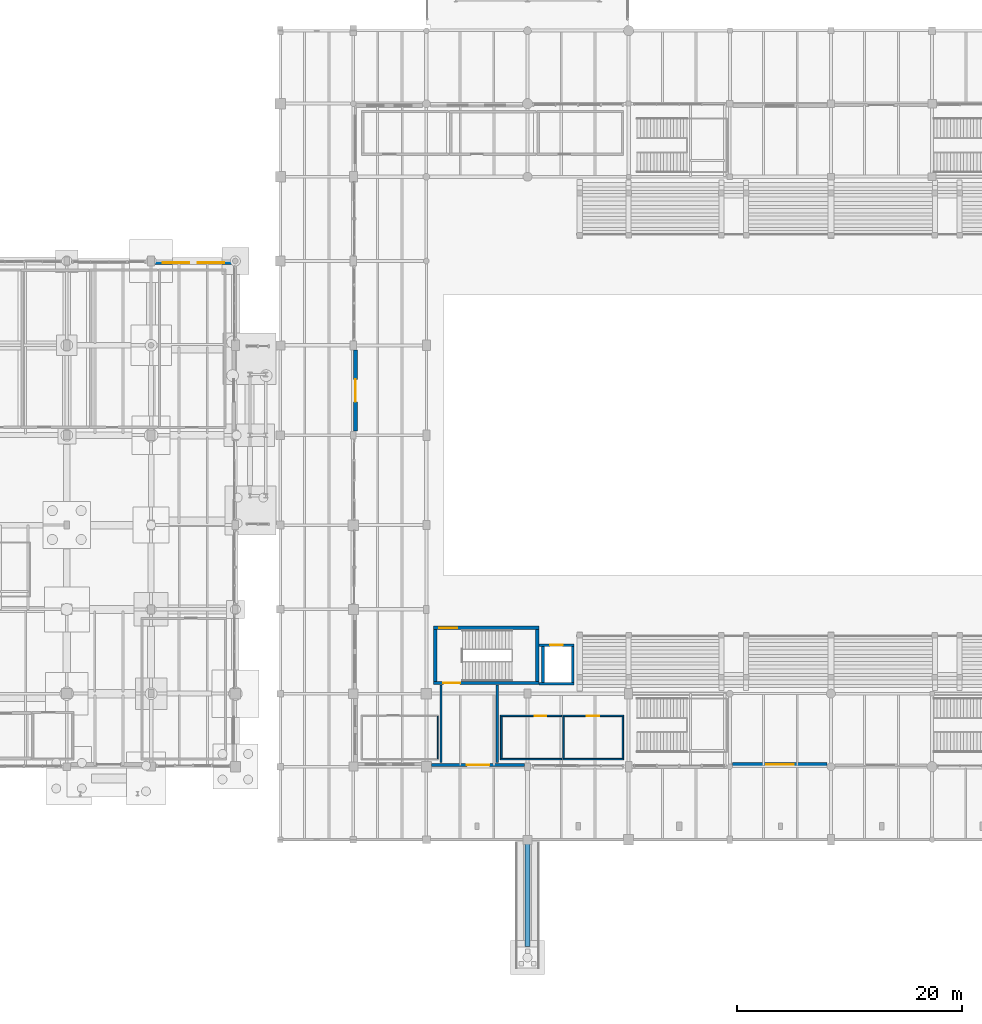
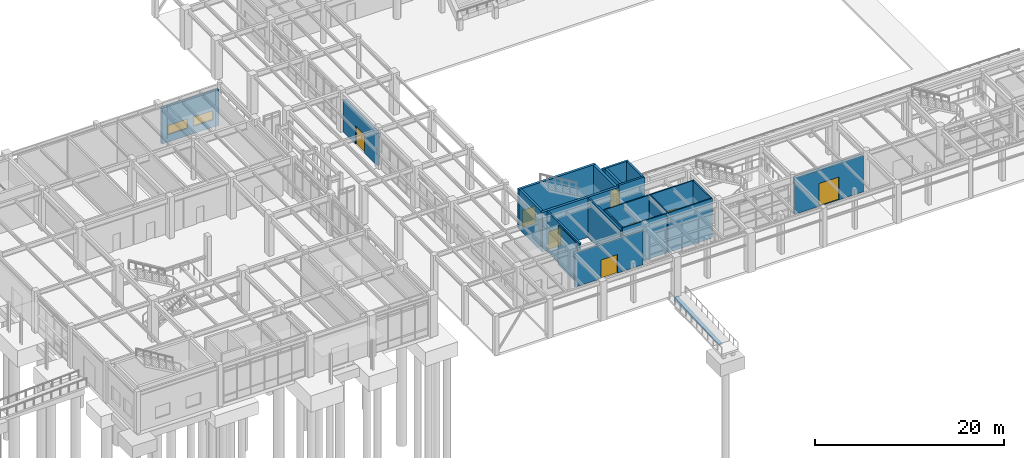
# One storey, part 173 of 203: 23 walls, 8 doors, 2 windows, 10 openings.
"""IFC4 building model written with IfcOpenShell, lengths in metres."""

import ifcopenshell
import ifcopenshell.guid

model = None  # the IFC model being written
_history = None  # IfcOwnerHistory: only IFC2X3 demands one
_inside = {}  # id of a spatial element -> (the spatial element, [elements in it])
_under = {}  # id of a project, library or spatial element -> (it, [spatial elements below it])
_declared = {}  # id of a project -> (the project, [libraries it declares])
_typed = {}  # id of a type object -> (the type object, [elements of that type])
_made_of = {}  # id of a material, layer set ... -> (it, [elements and type objects made of it])


def new_model(schema):
    """Start an empty IFC model of exactly this schema.

    Asked for "IFC4X3", IfcOpenShell would pick the latest addendum, in which some entities
    have other attributes; the version numbers below select the first issue.
    IFC2X3 requires an IfcOwnerHistory on every rooted entity: one is made here for all.
    """
    global model, _history
    if schema == "IFC4X3":
        model = ifcopenshell.file(schema_version=(4, 3, 0, 0))
    else:
        model = ifcopenshell.file(schema=schema)
    _inside.clear()
    _under.clear()
    _declared.clear()
    _typed.clear()
    _made_of.clear()
    _history = None
    if model.schema == "IFC2X3":
        org = make("IfcOrganization", Name="unknown")
        user = make(
            "IfcPersonAndOrganization",
            ThePerson=make("IfcPerson", FamilyName="unknown"),
            TheOrganization=org,
        )
        app = make(
            "IfcApplication",
            ApplicationDeveloper=org,
            Version="unknown",
            ApplicationFullName="unknown",
            ApplicationIdentifier="unknown",
        )
        _history = make(
            "IfcOwnerHistory",
            OwningUser=user,
            OwningApplication=app,
            ChangeAction="ADDED",
            CreationDate=0,
        )
    return model


def make(cls, **values):
    """One entity of the class cls with the attributes given. An attribute that is None is left unset."""
    return model.create_entity(
        cls, **{name: value for name, value in values.items() if value is not None}
    )


def rooted(cls, **values):
    """An entity with a GlobalId (a new one), such as an element, a storey or a relation."""
    return make(cls, GlobalId=ifcopenshell.guid.new(), OwnerHistory=_history, **values)


def si_unit(unit_type, name, prefix=None):
    """IfcSIUnit, for example si_unit("LENGTHUNIT", "METRE", prefix="MILLI")."""
    return make("IfcSIUnit", UnitType=unit_type, Prefix=prefix, Name=name)


def assignment(units):
    """IfcUnitAssignment: the units of a project."""
    return None if units is None else make("IfcUnitAssignment", Units=units)


def point(xyz):
    """IfcCartesianPoint."""
    return None if xyz is None else make("IfcCartesianPoint", Coordinates=xyz)


def direction(xyz):
    """IfcDirection."""
    return None if xyz is None else make("IfcDirection", DirectionRatios=xyz)


def frame(location, z_axis=None, x_axis=None):
    """IfcAxis2Placement3D, a coordinate frame: its origin and axes. An axis left out is left unset."""
    return make(
        "IfcAxis2Placement3D",
        Location=point(location),
        Axis=direction(z_axis),
        RefDirection=direction(x_axis),
    )


def frame_2d(location, x_axis=None):
    """IfcAxis2Placement2D, a coordinate frame in the plane: its origin and x axis."""
    return make(
        "IfcAxis2Placement2D", Location=point(location), RefDirection=direction(x_axis)
    )


def origin():
    """The frame at (0, 0, 0) with its axes left unset."""
    return frame((0.0, 0.0, 0.0))


def place(relative_to, where):
    """IfcLocalPlacement: puts the frame where relative to a parent placement (None: the world)."""
    return make(
        "IfcLocalPlacement", PlacementRelTo=relative_to, RelativePlacement=where
    )


def context(
    kind, dimensions, precision=None, world=None, true_north=None, identifier=None
):
    """IfcGeometricRepresentationContext, for example the 3D "Model" context."""
    return make(
        "IfcGeometricRepresentationContext",
        ContextIdentifier=identifier,
        ContextType=kind,
        CoordinateSpaceDimension=dimensions,
        Precision=precision,
        WorldCoordinateSystem=world,
        TrueNorth=true_north,
    )


def subcontext(parent, identifier, kind, view, scale=None):
    """IfcGeometricRepresentationSubContext, for example "Body" below "Model"."""
    return make(
        "IfcGeometricRepresentationSubContext",
        ContextIdentifier=identifier,
        ContextType=kind,
        ParentContext=parent,
        TargetScale=scale,
        TargetView=view,
    )


def project(units=None, contexts=None):
    """IfcProject with its units and contexts."""
    return rooted(
        "IfcProject",
        Name="project",
        RepresentationContexts=contexts,
        UnitsInContext=assignment(units),
    )


def spatial(cls, under=None, at=None, **own):
    """A site, building, storey or space (cls), placed at a placement, below another one or the project."""
    s = rooted(cls, ObjectPlacement=at, **own)
    if under is not None:
        _under.setdefault(under.id(), (under, []))[1].append(s)
    return s


def polyline(points):
    """IfcPolyline through the points."""
    return make("IfcPolyline", Points=[point(p) for p in points])


def profile(cls, at=None, kind="AREA", **sizes):
    """A parametric profile (cls). Its sizes go by their IFC names, for example OverallWidth=200.0."""
    return make(cls, ProfileType=kind, Position=at, **sizes)


def rectangle(**sizes):
    """IfcRectangleProfileDef."""
    return profile("IfcRectangleProfileDef", **sizes)


def outline(outer, holes=None, kind="AREA"):
    """IfcArbitraryClosedProfileDef: a profile drawn as a closed curve; with holes, ...WithVoids."""
    if holes is None:
        return make("IfcArbitraryClosedProfileDef", ProfileType=kind, OuterCurve=outer)
    return make(
        "IfcArbitraryProfileDefWithVoids",
        ProfileType=kind,
        OuterCurve=outer,
        InnerCurves=holes,
    )


def extrude(swept, where, along, depth):
    """IfcExtrudedAreaSolid: the profile swept, set in the frame where, extruded along a direction by depth."""
    return make(
        "IfcExtrudedAreaSolid",
        SweptArea=swept,
        Position=where,
        ExtrudedDirection=direction(along),
        Depth=depth,
    )


def shape(context_of_items, identifier, shape_type, items):
    """IfcShapeRepresentation: the items that make up one representation, for example the "Body"."""
    return make(
        "IfcShapeRepresentation",
        ContextOfItems=context_of_items,
        RepresentationIdentifier=identifier,
        RepresentationType=shape_type,
        Items=items,
    )


def material(Name=None, Category=None):
    """IfcMaterial."""
    return make("IfcMaterial", Name=Name, Category=Category)


def layer(
    of_material, thickness, ventilated=None, Name=None, Category=None, Priority=None
):
    """IfcMaterialLayer: one layer of a wall or slab, of a material (None: an air gap)."""
    return make(
        "IfcMaterialLayer",
        Material=of_material,
        LayerThickness=thickness,
        IsVentilated=ventilated,
        Name=Name,
        Category=Category,
        Priority=Priority,
    )


def layer_set(layers, Name=None):
    """IfcMaterialLayerSet."""
    return make("IfcMaterialLayerSet", MaterialLayers=layers, LayerSetName=Name)


def made_of(thing, what):
    """Note that an element or type object is made of a material, layer set ...; save() writes the relation."""
    if what is not None:
        _made_of.setdefault(what.id(), (what, []))[1].append(thing)
    return thing


def type_object(cls, material=None, **own):
    """A type object (cls), such as IfcWallType, which elements share."""
    return made_of(rooted(cls, **own), material)


def element(
    cls,
    number,
    at=None,
    inside=None,
    cuts=None,
    type_object=None,
    material=None,
    context=None,
    identifier="Body",
    shape_type=None,
    held_by="IfcProductDefinitionShape",
    body=None,
    shapes=None,
    **own,
):
    """One element of the class cls, such as IfcWall. Its Tag is "e" and its number.

    at: its placement. inside: the storey or other place that contains it. cuts: it is an
    opening in that element (IfcRelVoidsElement). A single representation is given by context,
    identifier, shape_type and body (its items); several are given by shapes. held_by: the class
    of the entity that holds the representations. save() writes the other relations.
    """
    e = rooted(cls, Tag="e%d" % number, ObjectPlacement=at, **own)
    if body is not None:
        shapes = [shape(context, identifier, shape_type, body)]
    if shapes is not None:
        e.Representation = make(held_by, Representations=shapes)
    if inside is not None:
        _inside.setdefault(inside.id(), (inside, []))[1].append(e)
    if cuts is not None:
        rooted(
            "IfcRelVoidsElement", RelatingBuildingElement=cuts, RelatedOpeningElement=e
        )
    if type_object is not None:
        _typed.setdefault(type_object.id(), (type_object, []))[1].append(e)
    return made_of(e, material)


def fill(opening, filler):
    """IfcRelFillsElement: the door or window that sits in an opening."""
    return rooted(
        "IfcRelFillsElement",
        RelatingOpeningElement=opening,
        RelatedBuildingElement=filler,
    )


def aggregate(whole, parts):
    """IfcRelAggregates: a whole, such as a stair, and the parts it consists of."""
    return rooted("IfcRelAggregates", RelatingObject=whole, RelatedObjects=parts)


def save(model, path):
    """Write the relations noted so far, then the file.

    IfcRelAggregates (storeys below a building ...), IfcRelContainedInSpatialStructure (elements
    in a storey), IfcRelDefinesByType, IfcRelAssociatesMaterial and IfcRelDeclares: one each for
    every whole, place, type object, material and project.
    """
    for whole, parts in _under.values():
        aggregate(whole, parts)
    for where, things in _inside.values():
        rooted(
            "IfcRelContainedInSpatialStructure",
            RelatedElements=things,
            RelatingStructure=where,
        )
    for kind, things in _typed.values():
        rooted("IfcRelDefinesByType", RelatedObjects=things, RelatingType=kind)
    for what, things in _made_of.values():
        rooted("IfcRelAssociatesMaterial", RelatedObjects=things, RelatingMaterial=what)
    for by, libraries in _declared.values():
        rooted("IfcRelDeclares", RelatingContext=by, RelatedDefinitions=libraries)
    model.write(path)


model = new_model("IFC4")

# Units and contexts
model_context = context("Model", 3, precision=1e-05, world=origin(), true_north=direction((0.0, 1.0)))
body_context = subcontext(model_context, "Body", "Model", "MODEL_VIEW")
ifc_project = project(units=[si_unit("LENGTHUNIT", "METRE"), si_unit("AREAUNIT", "SQUARE_METRE"), si_unit("VOLUMEUNIT", "CUBIC_METRE"), si_unit("PLANEANGLEUNIT", "RADIAN"), si_unit("MASSUNIT", "GRAM", prefix="KILO"), si_unit("THERMODYNAMICTEMPERATUREUNIT", "KELVIN"), si_unit("POWERUNIT", "WATT")], contexts=[model_context])

# Site, building, storey
site_placement = place(None, origin())
site = spatial("IfcSite", under=ifc_project, at=site_placement, CompositionType="ELEMENT")
building_placement = place(site_placement, origin())
building = spatial("IfcBuilding", under=site, at=building_placement, Name="Tepalcoro Natatorium and Aquatics Centre", CompositionType="ELEMENT")
storey_placement = place(building_placement, origin())
storey = spatial("IfcBuildingStorey", under=building, at=storey_placement, Name="L00", CompositionType="ELEMENT", Elevation=0.0)

# Wall, opening, door
ifc_material_1 = material(Name="Precast Concrete C45/55 (fc 45 MPa)", Category="concrete")
ifc_layer_1 = layer(ifc_material_1, 0.284912109375)
ifc_layer_set_1 = layer_set([ifc_layer_1], Name="Precast Concrete C45/55 (fc 45 MPa)")
wall_type_1 = type_object("IfcWallType", Name="WL_EXT_INSUL_280", PredefinedType="SOLIDWALL", material=ifc_layer_set_1)
wall_1_placement = place(storey_placement, frame((53.4541015625, 6.642578125, 0.0), z_axis=(0.0, 0.0, 1.0), x_axis=(1.0, 0.0, 0.0)))
wall_1 = element("IfcWall", 1, at=wall_1_placement, inside=storey, type_object=wall_type_1, Name="V1 L00 S Volcanic Basalt Envelope Wall", PredefinedType="SOLIDWALL", context=body_context, shape_type="SweptSolid", body=[
    extrude(rectangle(XDim=8.2919921875, YDim=0.284912109375, at=frame_2d((4.14599609375, 0.0))), origin(), (0.0, 0.0, 1.0), 4.382080078125),
])
opening_1_placement = place(wall_1_placement, frame((3.14599609375, 0.0, 0.0)))
opening_1 = element("IfcOpeningElement", 2, at=opening_1_placement, cuts=wall_1, Name="Opening ED5001", PredefinedType="OPENING", context=body_context, shape_type="SweptSolid", body=[
    extrude(rectangle(XDim=2.0, YDim=2.39990234375, at=frame_2d((1.0, 1.199951171875))), frame((0.0, 0.154296875, 0.0), z_axis=(0.0, -1.0, 0.0), x_axis=(1.0, 0.0, 0.0)), (0.0, 0.0, 1.0), 0.308837890625),
])
ifc_material_2 = material(Name="Bronze-Anodised Extruded Aluminium Alloy EN AW-6063 T6", Category="aluminium")
door_type_1 = type_object("IfcDoorType", Name="DR_200x240_EXT", OperationType="NOTDEFINED", PredefinedType="DOOR", material=ifc_material_2)
door_1_placement = place(opening_1_placement, frame((2.0, 0.0, 0.0), z_axis=(0.0, 0.0, 1.0), x_axis=(-1.0, 0.0, 0.0)))
door_1 = element("IfcDoor", 3, at=door_1_placement, inside=storey, type_object=door_type_1, Name="West Stair ST01 Final Exit Discharge", OperationType="DOUBLE_DOOR_SINGLE_SWING", OverallHeight=2.39990234375, OverallWidth=2.0, PredefinedType="DOOR", context=body_context, shape_type="SweptSolid", body=[
    extrude(rectangle(XDim=2.0, YDim=2.39990234375, at=frame_2d((1.0, 1.199951171875))), frame((0.0, 0.02490234375, 0.0), z_axis=(0.0, -1.0, 0.0), x_axis=(1.0, 0.0, 0.0)), (0.0, 0.0, 1.0), 0.050048828125),
])
fill(opening_1, door_1)

# Wall, openings, windows
ifc_material_3 = material(Name="Jalisco Cantera Rosa Volcanic Tuff Ashlar Masonry", Category="masonry")
ifc_layer_2 = layer(ifc_material_3, 0.320068359375)
ifc_layer_set_2 = layer_set([ifc_layer_2], Name="Jalisco Cantera Rosa Volcanic Tuff Ashlar Masonry")
wall_type_2 = type_object("IfcWallType", Name="WL_EXT_STONE_320", PredefinedType="SOLIDWALL", material=ifc_layer_set_2)
wall_2_placement = place(storey_placement, frame((28.803955078125, 51.340087890625, 0.0), z_axis=(0.0, 0.0, 1.0), x_axis=(1.0, 0.0, 0.0)))
wall_2 = element("IfcWall", 4, at=wall_2_placement, inside=storey, type_object=wall_type_2, Name="V3 L00 N Volcanic Basalt Envelope Wall", PredefinedType="SOLIDWALL", context=body_context, shape_type="SweptSolid", body=[
    extrude(rectangle(XDim=6.942138671875, YDim=0.320068359375, at=frame_2d((3.47119140625, 0.0))), origin(), (0.0, 0.0, 1.0), 4.593994140625),
])
opening_2_placement = place(wall_2_placement, frame((0.714111328125, 0.0, 0.949951171875)))
opening_2 = element("IfcOpeningElement", 5, at=opening_2_placement, cuts=wall_2, Name="Opening W0056A", PredefinedType="OPENING", context=body_context, shape_type="SweptSolid", body=[
    extrude(rectangle(XDim=2.39990234375, YDim=1.199951171875, at=frame_2d((1.199951171875, 0.60009765625))), frame((0.0, 0.171875, 0.0), z_axis=(0.0, -1.0, 0.0), x_axis=(1.0, 0.0, 0.0)), (0.0, 0.0, 1.0), 0.343994140625),
])
opening_3_placement = place(wall_2_placement, frame((3.827880859375, 0.0, 0.949951171875)))
opening_3 = element("IfcOpeningElement", 6, at=opening_3_placement, cuts=wall_2, Name="Opening W0056B", PredefinedType="OPENING", context=body_context, shape_type="SweptSolid", body=[
    extrude(rectangle(XDim=2.39990234375, YDim=1.199951171875, at=frame_2d((1.199951171875, 0.60009765625))), frame((0.0, 0.171875, 0.0), z_axis=(0.0, -1.0, 0.0), x_axis=(1.0, 0.0, 0.0)), (0.0, 0.0, 1.0), 0.343994140625),
])
ifc_material_4 = material(Name="Solar-Control Bronze Tempered Low-E Double Glazing", Category="glass")
window_type = type_object("IfcWindowType", Name="WN_240x120", PartitioningType="SINGLE_PANEL", PredefinedType="WINDOW", material=ifc_material_4)
window_1_placement = place(opening_2_placement, origin())
window_1 = element("IfcWindow", 7, at=window_1_placement, inside=storey, type_object=window_type, Name="Exterior Thermal Window WN_240x120", OverallHeight=1.199951171875, OverallWidth=2.39990234375, PartitioningType="SINGLE_PANEL", PredefinedType="WINDOW", context=body_context, shape_type="SweptSolid", body=[
    extrude(rectangle(XDim=2.39990234375, YDim=1.199951171875, at=frame_2d((1.199951171875, 0.60009765625))), frame((0.0, 0.030029296875, 0.0), z_axis=(0.0, -1.0, 0.0), x_axis=(1.0, 0.0, 0.0)), (0.0, 0.0, 1.0), 0.06005859375),
])
fill(opening_2, window_1)
window_2_placement = place(opening_3_placement, origin())
window_2 = element("IfcWindow", 8, at=window_2_placement, inside=storey, type_object=window_type, Name="Exterior Thermal Window WN_240x120", OverallHeight=1.199951171875, OverallWidth=2.39990234375, PartitioningType="SINGLE_PANEL", PredefinedType="WINDOW", context=body_context, shape_type="SweptSolid", body=[
    extrude(rectangle(XDim=2.39990234375, YDim=1.199951171875, at=frame_2d((1.199951171875, 0.60009765625))), frame((0.0, 0.030029296875, 0.0), z_axis=(0.0, -1.0, 0.0), x_axis=(1.0, 0.0, 0.0)), (0.0, 0.0, 1.0), 0.06005859375),
])
fill(opening_3, window_2)

# Wall, opening, door
ifc_material_5 = material(Name="Volcanic Recinto Basalt Ashlar Masonry", Category="masonry")
ifc_layer_3 = layer(ifc_material_5, 0.360107421875)
ifc_layer_set_3 = layer_set([ifc_layer_3], Name="Volcanic Recinto Basalt Ashlar Masonry")
wall_type_3 = type_object("IfcWallType", Name="WL_EXT_STONE_350", PredefinedType="SOLIDWALL", material=ifc_layer_set_3)
wall_3_placement = place(storey_placement, frame((80.25390625, 6.679931640625, 0.0), z_axis=(0.0, 0.0, 1.0), x_axis=(1.0, 0.0, 0.0)))
wall_3 = element("IfcWall", 9, at=wall_3_placement, inside=storey, type_object=wall_type_3, Name="V1 L00 S Volcanic Basalt Envelope Wall", PredefinedType="SOLIDWALL", context=body_context, shape_type="SweptSolid", body=[
    extrude(rectangle(XDim=8.39208984375, YDim=0.360107421875, at=frame_2d((4.196044921875, 0.0))), origin(), (0.0, 0.0, 1.0), 4.6640625),
])
opening_4_placement = place(wall_3_placement, frame((2.970947265625, 0.0, 0.0)))
opening_4 = element("IfcOpeningElement", 10, at=opening_4_placement, cuts=wall_3, Name="Opening ED5002", PredefinedType="OPENING", context=body_context, shape_type="SweptSolid", body=[
    extrude(rectangle(XDim=2.449951171875, YDim=2.949951171875, at=frame_2d((1.22509765625, 1.47509765625))), frame((0.0, 0.19189453125, 0.0), z_axis=(0.0, -1.0, 0.0), x_axis=(1.0, 0.0, 0.0)), (0.0, 0.0, 1.0), 0.384033203125),
])
door_type_2 = type_object("IfcDoorType", Name="DR_245x300_FOYER", OperationType="NOTDEFINED", PredefinedType="DOOR", material=ifc_material_2)
door_2_placement = place(opening_4_placement, frame((2.449951171875, 0.0, 0.0), z_axis=(0.0, 0.0, 1.0), x_axis=(-1.0, 0.0, 0.0)))
door_2 = element("IfcDoor", 11, at=door_2_placement, inside=storey, type_object=door_type_2, Name="South Colonnade Civic Entrance", OperationType="DOUBLE_DOOR_SINGLE_SWING", OverallHeight=2.949951171875, OverallWidth=2.449951171875, PredefinedType="DOOR", context=body_context, shape_type="SweptSolid", body=[
    extrude(rectangle(XDim=2.449951171875, YDim=2.949951171875, at=frame_2d((1.22509765625, 1.47509765625))), frame((0.0, 0.02490234375, 0.0), z_axis=(0.0, -1.0, 0.0), x_axis=(1.0, 0.0, 0.0)), (0.0, 0.0, 1.0), 0.050048828125),
])
fill(opening_4, door_2)

wall_4_placement = place(storey_placement, frame((46.679931640625, 36.35400390625, 0.0), z_axis=(0.0, 0.0, 1.0), x_axis=(0.0, 1.0, 0.0)))
wall_4 = element("IfcWall", 12, at=wall_4_placement, inside=storey, type_object=wall_type_3, Name="V1 L00 W Volcanic Basalt Envelope Wall", PredefinedType="SOLIDWALL", context=body_context, shape_type="SweptSolid", body=[
    extrude(rectangle(XDim=7.241943359375, YDim=0.360107421875, at=frame_2d((3.62109375, 0.0))), origin(), (0.0, 0.0, 1.0), 4.137939453125),
])
opening_5_placement = place(wall_4_placement, frame((2.62109375, 0.0, 0.0)))
opening_5 = element("IfcOpeningElement", 13, at=opening_5_placement, cuts=wall_4, Name="Opening ED5007", PredefinedType="OPENING", context=body_context, shape_type="SweptSolid", body=[
    extrude(rectangle(XDim=2.0, YDim=2.39990234375, at=frame_2d((1.0, 1.199951171875))), frame((0.0, 0.19189453125, 0.0), z_axis=(0.0, -1.0, 0.0), x_axis=(1.0, 0.0, 0.0)), (0.0, 0.0, 1.0), 0.384033203125),
])
door_3_placement = place(opening_5_placement, origin())
door_3 = element("IfcDoor", 14, at=door_3_placement, inside=storey, type_object=door_type_1, Name="West Seismic Link Portal", OperationType="DOUBLE_DOOR_SINGLE_SWING", OverallHeight=2.39990234375, OverallWidth=2.0, PredefinedType="DOOR", context=body_context, shape_type="SweptSolid", body=[
    extrude(rectangle(XDim=2.0, YDim=2.39990234375, at=frame_2d((1.0, 1.199951171875))), frame((0.0, 0.02490234375, 0.0), z_axis=(0.0, -1.0, 0.0), x_axis=(1.0, 0.0, 0.0)), (0.0, 0.0, 1.0), 0.050048828125),
])
fill(opening_5, door_3)

# Walls
ifc_material_6 = material(Name="Moisture-Resistant Acoustic Gypsum Drywall on Cold-Formed Metal Studs")
ifc_layer_4 = layer(ifc_material_6, 0.10009765625)
ifc_layer_set_4 = layer_set([ifc_layer_4], Name="Moisture-Resistant Acoustic Gypsum Drywall on Cold-Formed Metal Studs")
wall_type_4 = type_object("IfcWallType", Name="WL_PART_100", PredefinedType="PARTITIONING", material=ifc_layer_set_4)
wall_5_placement = place(storey_placement, frame((54.0, 7.199951171875, 0.0), z_axis=(0.0, 0.0, 1.0), x_axis=(0.0, 1.0, 0.0)))
element("IfcWall", 15, at=wall_5_placement, inside=storey, type_object=wall_type_4, Name="World Aquatics Swimmer Call Room & Ready Suite Partition E", PredefinedType="PARTITIONING", context=body_context, shape_type="SweptSolid", body=[
    extrude(rectangle(XDim=3.800048828125, YDim=0.10009765625, at=frame_2d((1.89990234375, 0.0))), origin(), (0.0, 0.0, 1.0), 5.125),
])
ifc_layer_5 = layer(ifc_material_6, 0.14990234375)
ifc_layer_set_5 = layer_set([ifc_layer_5], Name="Moisture-Resistant Acoustic Gypsum Drywall on Cold-Formed Metal Studs")
wall_type_5 = type_object("IfcWallType", Name="WL_PART_150_AC", PredefinedType="PARTITIONING", material=ifc_layer_set_5)
wall_6_placement = place(storey_placement, frame((59.590087890625, 7.175048828125, 0.0), z_axis=(0.0, 0.0, 1.0), x_axis=(1.0, 0.0, 0.0)))
element("IfcWall", 16, at=wall_6_placement, inside=storey, type_object=wall_type_5, Name="Poolside Lifeguard Station & First-Aid Trauma Room Partition S", PredefinedType="PARTITIONING", context=body_context, shape_type="SweptSolid", body=[
    extrude(rectangle(XDim=5.44482421875, YDim=0.14990234375, at=frame_2d((2.722412109375, 0.0))), origin(), (0.0, 0.0, 1.0), 5.125),
])

# Wall, opening, door
wall_7_placement = place(storey_placement, frame((59.590087890625, 11.02490234375, 0.0), z_axis=(0.0, 0.0, 1.0), x_axis=(1.0, 0.0, 0.0)))
wall_7 = element("IfcWall", 17, at=wall_7_placement, inside=storey, type_object=wall_type_5, Name="Poolside Lifeguard Station & First-Aid Trauma Room Partition N", PredefinedType="PARTITIONING", context=body_context, shape_type="SweptSolid", body=[
    extrude(rectangle(XDim=5.44482421875, YDim=0.14990234375, at=frame_2d((2.722412109375, 0.0))), origin(), (0.0, 0.0, 1.0), 5.125),
])
opening_6_placement = place(wall_7_placement, frame((3.05859375, 0.0, 0.0)))
opening_6 = element("IfcOpeningElement", 18, at=opening_6_placement, cuts=wall_7, Name="Opening D0074", PredefinedType="OPENING", context=body_context, shape_type="SweptSolid", body=[
    extrude(rectangle(XDim=1.0, YDim=2.199951171875, at=frame_2d((0.5, 1.10009765625))), frame((0.0, 0.0869140625, 0.0), z_axis=(0.0, -1.0, 0.0), x_axis=(1.0, 0.0, 0.0)), (0.0, 0.0, 1.0), 0.173828125),
])
ifc_material_7 = material(Name="Galvanised Steel Insulated Acoustic Fire Door Assembly", Category="steel")
door_type_3 = type_object("IfcDoorType", Name="DR_100x220_FD60", OperationType="NOTDEFINED", PredefinedType="DOOR", material=ifc_material_7)
door_4_placement = place(opening_6_placement, frame((1.0, 0.0, 0.0), z_axis=(0.0, 0.0, 1.0), x_axis=(-1.0, 0.0, 0.0)))
door_4 = element("IfcDoor", 19, at=door_4_placement, inside=storey, type_object=door_type_3, Name="Poolside Lifeguard Station & First-Aid Trauma Room Door", OperationType="SINGLE_SWING_RIGHT", OverallHeight=2.199951171875, OverallWidth=1.0, PredefinedType="DOOR", context=body_context, shape_type="SweptSolid", body=[
    extrude(rectangle(XDim=1.0, YDim=2.199951171875, at=frame_2d((0.5, 1.10009765625))), frame((0.0, 0.02490234375, 0.0), z_axis=(0.0, -1.0, 0.0), x_axis=(1.0, 0.0, 0.0)), (0.0, 0.0, 1.0), 0.050048828125),
])
fill(opening_6, door_4)

# Walls
wall_8_placement = place(storey_placement, frame((59.6650390625, 7.25, 0.0), z_axis=(0.0, 0.0, 1.0), x_axis=(0.0, 1.0, 0.0)))
element("IfcWall", 20, at=wall_8_placement, inside=storey, type_object=wall_type_5, Name="Poolside Lifeguard Station & First-Aid Trauma Room Partition W", PredefinedType="PARTITIONING", context=body_context, shape_type="SweptSolid", body=[
    extrude(rectangle(XDim=3.699951171875, YDim=0.14990234375, at=frame_2d((1.85009765625, 0.0))), origin(), (0.0, 0.0, 1.0), 5.125),
])
wall_9_placement = place(storey_placement, frame((65.114990234375, 7.175048828125, 0.0), z_axis=(0.0, 0.0, 1.0), x_axis=(1.0, 0.0, 0.0)))
element("IfcWall", 21, at=wall_9_placement, inside=storey, type_object=wall_type_5, Name="Timing & Omega Touchpad Control Room Partition S", PredefinedType="PARTITIONING", context=body_context, shape_type="SweptSolid", body=[
    extrude(rectangle(XDim=5.445068359375, YDim=0.14990234375, at=frame_2d((2.72265625, 0.0))), origin(), (0.0, 0.0, 1.0), 5.125),
])

# Wall, opening, door
wall_10_placement = place(storey_placement, frame((65.114990234375, 11.02490234375, 0.0), z_axis=(0.0, 0.0, 1.0), x_axis=(1.0, 0.0, 0.0)))
wall_10 = element("IfcWall", 22, at=wall_10_placement, inside=storey, type_object=wall_type_5, Name="Timing & Omega Touchpad Control Room Partition N", PredefinedType="PARTITIONING", context=body_context, shape_type="SweptSolid", body=[
    extrude(rectangle(XDim=5.445068359375, YDim=0.14990234375, at=frame_2d((2.72265625, 0.0))), origin(), (0.0, 0.0, 1.0), 5.125),
])
opening_7_placement = place(wall_10_placement, frame((2.172607421875, 0.0, 0.0)))
opening_7 = element("IfcOpeningElement", 23, at=opening_7_placement, cuts=wall_10, Name="Opening D0075", PredefinedType="OPENING", context=body_context, shape_type="SweptSolid", body=[
    extrude(rectangle(XDim=1.10009765625, YDim=2.25, at=frame_2d((0.550048828125, 1.125))), frame((0.0, 0.0869140625, 0.0), z_axis=(0.0, -1.0, 0.0), x_axis=(1.0, 0.0, 0.0)), (0.0, 0.0, 1.0), 0.173828125),
])
ifc_material_8 = material(Name="Solid-Core Moisture-Sealed Oak Timber Leaf in Aluminium Frame", Category="wood")
door_type_4 = type_object("IfcDoorType", Name="DR_110x225", OperationType="NOTDEFINED", PredefinedType="DOOR", material=ifc_material_8)
door_5_placement = place(opening_7_placement, frame((1.10009765625, 0.0, 0.0), z_axis=(0.0, 0.0, 1.0), x_axis=(-1.0, 0.0, 0.0)))
door_5 = element("IfcDoor", 24, at=door_5_placement, inside=storey, type_object=door_type_4, Name="Timing & Omega Touchpad Control Room Door", OperationType="SINGLE_SWING_LEFT", OverallHeight=2.25, OverallWidth=1.10009765625, PredefinedType="DOOR", context=body_context, shape_type="SweptSolid", body=[
    extrude(rectangle(XDim=1.10009765625, YDim=2.25, at=frame_2d((0.550048828125, 1.125))), frame((0.0, 0.02490234375, 0.0), z_axis=(0.0, -1.0, 0.0), x_axis=(1.0, 0.0, 0.0)), (0.0, 0.0, 1.0), 0.050048828125),
])
fill(opening_7, door_5)

# Walls
for number, where, z_axis, x_axis, name in (
    (25, (70.485107421875, 7.25, 0.0), (0.0, 0.0, 1.0), (0.0, 1.0, 0.0), "Timing & Omega Touchpad Control Room Partition E"),
    (26, (65.18994140625, 7.25, 0.0), (0.0, 0.0, 1.0), (0.0, 1.0, 0.0), "Timing & Omega Touchpad Control Room Partition W"),
):
    element("IfcWall", number, at=place(storey_placement, frame(where, z_axis=z_axis, x_axis=x_axis)), inside=storey, type_object=wall_type_5, Name=name, PredefinedType="PARTITIONING", context=body_context, shape_type="SweptSolid", body=[
        extrude(rectangle(XDim=3.699951171875, YDim=0.14990234375, at=frame_2d((1.85009765625, 0.0))), origin(), (0.0, 0.0, 1.0), 5.125),
    ])
ifc_material_9 = material(Name="Concrete C40/50 (fc 40 MPa)", Category="concrete")
ifc_layer_6 = layer(ifc_material_9, 0.449951171875)
ifc_layer_set_6 = layer_set([ifc_layer_6], Name="Concrete C40/50 (fc 40 MPa)")
wall_type_6 = type_object("IfcWallType", Name="WL_RET_450", PredefinedType="USERDEFINED", material=ifc_layer_set_6)
wall_11_placement = place(storey_placement, frame((62.0, -9.52001953125, -0.699951171875), z_axis=(0.0, 0.0, 1.0), x_axis=(0.0, 1.0, 0.0)))
element("IfcWall", 27, at=wall_11_placement, inside=storey, type_object=wall_type_6, Name="RMP03 Ramp Supporting Stem Wall", ObjectType="RETAINING WALL", PredefinedType="USERDEFINED", context=body_context, shape_type="SweptSolid", body=[
    extrude(outline(polyline([(0.0, 0.0), (9.51513671875, 0.0), (9.514892578125, 0.482421875), (0.0, 0.02587890625), (0.0, 0.0)])), frame((0.0, 0.22509765625, 0.0), z_axis=(0.0, -1.0, 0.0), x_axis=(1.0, 0.0, 0.0)), (0.0, 0.0, 1.0), 0.449951171875),
])
ifc_layer_7 = layer(ifc_material_9, 0.239990234375)
ifc_layer_set_7 = layer_set([ifc_layer_7], Name="Concrete C40/50 (fc 40 MPa)")
wall_type_7 = type_object("IfcWallType", Name="WL_SHAFT_240", PredefinedType="SOLIDWALL", material=ifc_layer_set_7)
wall_12_placement = place(storey_placement, frame((63.0, 13.8798828125, 0.0), z_axis=(0.0, 0.0, 1.0), x_axis=(1.0, 0.0, 0.0)))
element("IfcWall", 28, at=wall_12_placement, inside=storey, type_object=wall_type_7, Name="LF01 Lift Shaft Wall S L00", PredefinedType="SOLIDWALL", context=body_context, shape_type="SweptSolid", body=[
    extrude(rectangle(XDim=3.139892578125, YDim=0.239990234375, at=frame_2d((1.56982421875, 0.0))), origin(), (0.0, 0.0, 1.0), 5.39990234375),
])

# Wall, opening, door
wall_13_placement = place(storey_placement, frame((63.0, 17.320068359375, 0.0), z_axis=(0.0, 0.0, 1.0), x_axis=(1.0, 0.0, 0.0)))
wall_13 = element("IfcWall", 29, at=wall_13_placement, inside=storey, type_object=wall_type_7, Name="LF01 Lift Shaft Wall N L00", PredefinedType="SOLIDWALL", context=body_context, shape_type="SweptSolid", body=[
    extrude(rectangle(XDim=3.139892578125, YDim=0.239990234375, at=frame_2d((1.56982421875, 0.0))), origin(), (0.0, 0.0, 1.0), 5.39990234375),
])
opening_8_placement = place(wall_13_placement, frame((1.02001953125, 0.0, 0.0)))
opening_8 = element("IfcOpeningElement", 30, at=opening_8_placement, cuts=wall_13, Name="Opening LD-LF01-L00", PredefinedType="OPENING", context=body_context, shape_type="SweptSolid", body=[
    extrude(rectangle(XDim=1.10009765625, YDim=2.14990234375, at=frame_2d((0.550048828125, 1.074951171875))), frame((0.0, 0.1318359375, 0.0), z_axis=(0.0, -1.0, 0.0), x_axis=(1.0, 0.0, 0.0)), (0.0, 0.0, 1.0), 0.263916015625),
])
ifc_material_10 = material(Name="Marine-Grade Brushed Stainless Steel AISI 316L", Category="steel")
door_type_5 = type_object("IfcDoorType", Name="DR_110x215_LIFT", OperationType="NOTDEFINED", PredefinedType="USERDEFINED", material=ifc_material_10)
door_6_placement = place(opening_8_placement, origin())
door_6 = element("IfcDoor", 31, at=door_6_placement, inside=storey, type_object=door_type_5, Name="LF01 Lift Landing Sliding Door (L00)", ObjectType="SLIDING LANDING DOOR", OperationType="SLIDING_TO_RIGHT", OverallHeight=2.14990234375, OverallWidth=1.10009765625, PredefinedType="USERDEFINED", context=body_context, shape_type="SweptSolid", body=[
    extrude(rectangle(XDim=1.10009765625, YDim=2.14990234375, at=frame_2d((0.550048828125, 1.074951171875))), frame((0.0, 0.02490234375, 0.0), z_axis=(0.0, -1.0, 0.0), x_axis=(1.0, 0.0, 0.0)), (0.0, 0.0, 1.0), 0.050048828125),
])
fill(opening_8, door_6)

# Walls
for number, where, z_axis, x_axis, name in (
    (32, (63.3798828125, 14.0, 0.0), (0.0, 0.0, 1.0), (0.0, 1.0, 0.0), "LF01 Lift Shaft Wall W L00"),
    (33, (66.02001953125, 14.0, 0.0), (0.0, 0.0, 1.0), (0.0, 1.0, 0.0), "LF01 Lift Shaft Wall E L00"),
):
    element("IfcWall", number, at=place(storey_placement, frame(where, z_axis=z_axis, x_axis=x_axis)), inside=storey, type_object=wall_type_7, Name=name, PredefinedType="SOLIDWALL", context=body_context, shape_type="SweptSolid", body=[
        extrude(rectangle(XDim=3.199951171875, YDim=0.239990234375, at=frame_2d((1.60009765625, 0.0))), origin(), (0.0, 0.0, 1.0), 5.39990234375),
    ])

# Wall, opening, door
ifc_layer_8 = layer(ifc_material_9, 0.300048828125)
ifc_layer_set_8 = layer_set([ifc_layer_8], Name="Concrete C40/50 (fc 40 MPa)")
wall_type_8 = type_object("IfcWallType", Name="WL_SHEAR_300", PredefinedType="SHEAR", material=ifc_layer_set_8)
wall_14_placement = place(storey_placement, frame((53.64990234375, 13.949951171875, 0.0), z_axis=(0.0, 0.0, 1.0), x_axis=(1.0, 0.0, 0.0)))
wall_14 = element("IfcWall", 34, at=wall_14_placement, inside=storey, type_object=wall_type_8, Name="ST01 Core Shear Wall S L00", PredefinedType="SHEAR", context=body_context, shape_type="SweptSolid", body=[
    extrude(rectangle(XDim=9.35009765625, YDim=0.300048828125, at=frame_2d((4.675048828125, 0.0))), origin(), (0.0, 0.0, 1.0), 5.139892578125),
])
opening_9_placement = place(wall_14_placement, frame((0.85009765625, 0.0, 0.0)))
opening_9 = element("IfcOpeningElement", 35, at=opening_9_placement, cuts=wall_14, Name="Opening D0003", PredefinedType="OPENING", context=body_context, shape_type="SweptSolid", body=[
    extrude(rectangle(XDim=1.5, YDim=2.300048828125, at=frame_2d((0.75, 1.14990234375))), frame((0.0, 0.162109375, 0.0), z_axis=(0.0, -1.0, 0.0), x_axis=(1.0, 0.0, 0.0)), (0.0, 0.0, 1.0), 0.323974609375),
])
door_type_6 = type_object("IfcDoorType", Name="DR_150x230_FD60", OperationType="NOTDEFINED", PredefinedType="DOOR", material=ifc_material_7)
door_7_placement = place(opening_9_placement, frame((1.5, 0.0, 0.0), z_axis=(0.0, 0.0, 1.0), x_axis=(-1.0, 0.0, 0.0)))
door_7 = element("IfcDoor", 36, at=door_7_placement, inside=storey, type_object=door_type_6, Name="ST01 Protected Exit Discharge Door (L00)", OperationType="DOUBLE_DOOR_SINGLE_SWING", OverallHeight=2.300048828125, OverallWidth=1.5, PredefinedType="DOOR", context=body_context, shape_type="SweptSolid", body=[
    extrude(rectangle(XDim=1.5, YDim=2.300048828125, at=frame_2d((0.75, 1.14990234375))), frame((0.0, 0.02490234375, 0.0), z_axis=(0.0, -1.0, 0.0), x_axis=(1.0, 0.0, 0.0)), (0.0, 0.0, 1.0), 0.050048828125),
])
fill(opening_9, door_7)

wall_15_placement = place(storey_placement, frame((53.64990234375, 18.85009765625, 0.0), z_axis=(0.0, 0.0, 1.0), x_axis=(1.0, 0.0, 0.0)))
wall_15 = element("IfcWall", 37, at=wall_15_placement, inside=storey, type_object=wall_type_8, Name="ST01 Core Shear Wall N L00", PredefinedType="SHEAR", context=body_context, shape_type="SweptSolid", body=[
    extrude(rectangle(XDim=9.35009765625, YDim=0.300048828125, at=frame_2d((4.675048828125, 0.0))), origin(), (0.0, 0.0, 1.0), 5.139892578125),
])
opening_10_placement = place(wall_15_placement, frame((0.47998046875, 0.0, 0.0)))
opening_10 = element("IfcOpeningElement", 38, at=opening_10_placement, cuts=wall_15, Name="Opening D0002", PredefinedType="OPENING", context=body_context, shape_type="SweptSolid", body=[
    extrude(rectangle(XDim=1.60009765625, YDim=2.199951171875, at=frame_2d((0.800048828125, 1.10009765625))), frame((0.0, 0.162109375, 0.0), z_axis=(0.0, -1.0, 0.0), x_axis=(1.0, 0.0, 0.0)), (0.0, 0.0, 1.0), 0.323974609375),
])
door_type_7 = type_object("IfcDoorType", Name="DR_160x220_FD90", OperationType="NOTDEFINED", PredefinedType="DOOR", material=ifc_material_7)
door_8_placement = place(opening_10_placement, origin())
door_8 = element("IfcDoor", 39, at=door_8_placement, inside=storey, type_object=door_type_7, Name="ST01 Fire Stair Door (L00)", OperationType="DOUBLE_DOOR_SINGLE_SWING", OverallHeight=2.199951171875, OverallWidth=1.60009765625, PredefinedType="DOOR", context=body_context, shape_type="SweptSolid", body=[
    extrude(rectangle(XDim=1.60009765625, YDim=2.199951171875, at=frame_2d((0.800048828125, 1.10009765625))), frame((0.0, 0.02490234375, 0.0), z_axis=(0.0, -1.0, 0.0), x_axis=(1.0, 0.0, 0.0)), (0.0, 0.0, 1.0), 0.050048828125),
])
fill(opening_10, door_8)

# Walls
for number, where, z_axis, x_axis, name in (
    (40, (53.800048828125, 14.10009765625, 0.0), (0.0, 0.0, 1.0), (0.0, 1.0, 0.0), "ST01 Core Shear Wall W L00"),
    (41, (62.85009765625, 14.10009765625, 0.0), (0.0, 0.0, 1.0), (0.0, 1.0, 0.0), "ST01 Core Shear Wall E L00"),
):
    element("IfcWall", number, at=place(storey_placement, frame(where, z_axis=z_axis, x_axis=x_axis)), inside=storey, type_object=wall_type_8, Name=name, PredefinedType="SHEAR", context=body_context, shape_type="SweptSolid", body=[
        extrude(rectangle(XDim=4.599853515625, YDim=0.300048828125, at=frame_2d((2.2998046875, 0.0))), origin(), (0.0, 0.0, 1.0), 5.139892578125),
    ])
ifc_material_11 = material(Name="Concrete C35/45 (fc 35 MPa)", Category="concrete")
ifc_layer_9 = layer(ifc_material_11, 0.205078125)
ifc_layer_set_9 = layer_set([ifc_layer_9], Name="Concrete C35/45 (fc 35 MPa)")
wall_type_9 = type_object("IfcWallType", Name="WL_SOLID_200_FR120", PredefinedType="SOLIDWALL", material=ifc_layer_set_9)
for number, where, z_axis, x_axis, name in (
    (42, (54.300048828125, 6.8798828125, 0.0), (0.0, 0.0, 1.0), (0.0, 1.0, 0.0), "Protected Exit Discharge Passageway EI 120 Wall"),
    (43, (59.300048828125, 6.8798828125, 0.0), (0.0, 0.0, 1.0), (0.0, 1.0, 0.0), "Protected Exit Discharge Passageway EI 120 Wall"),
):
    element("IfcWall", number, at=place(storey_placement, frame(where, z_axis=z_axis, x_axis=x_axis)), inside=storey, type_object=wall_type_9, Name=name, PredefinedType="SOLIDWALL", context=body_context, shape_type="SweptSolid", body=[
        extrude(rectangle(XDim=6.900146484375, YDim=0.205078125, at=frame_2d((3.4501953125, 0.0))), origin(), (0.0, 0.0, 1.0), 5.139892578125),
    ])

save(model, "model.ifc")
